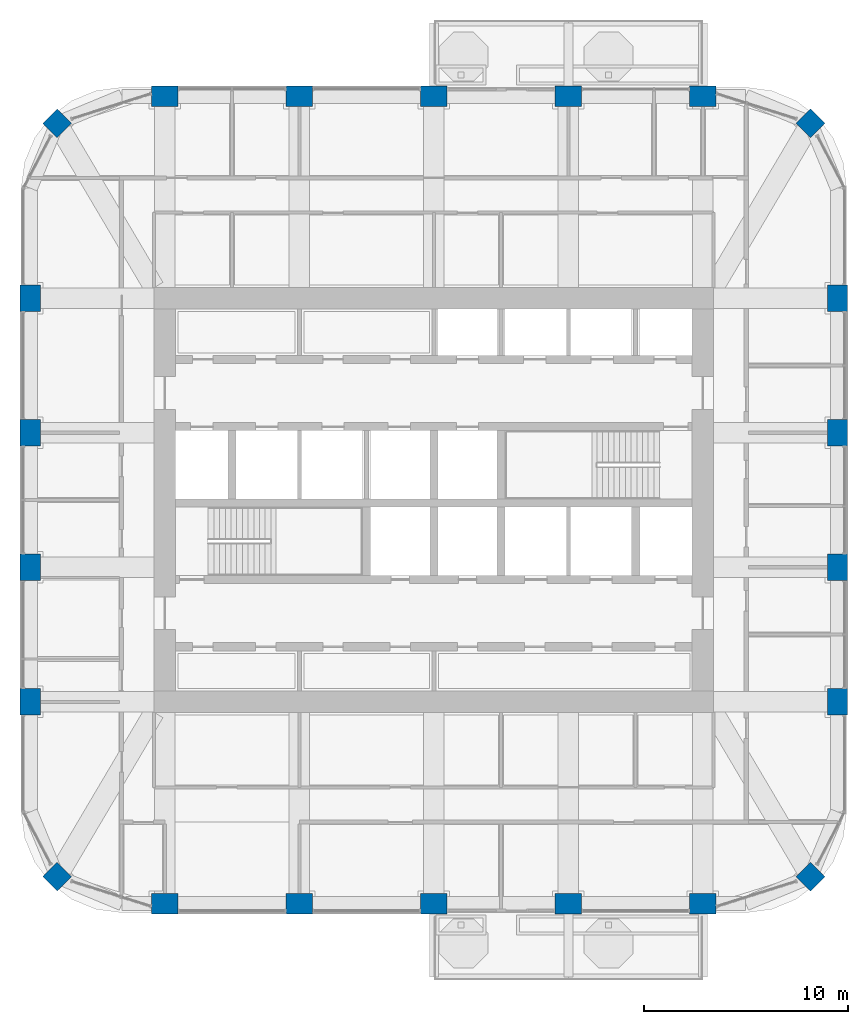
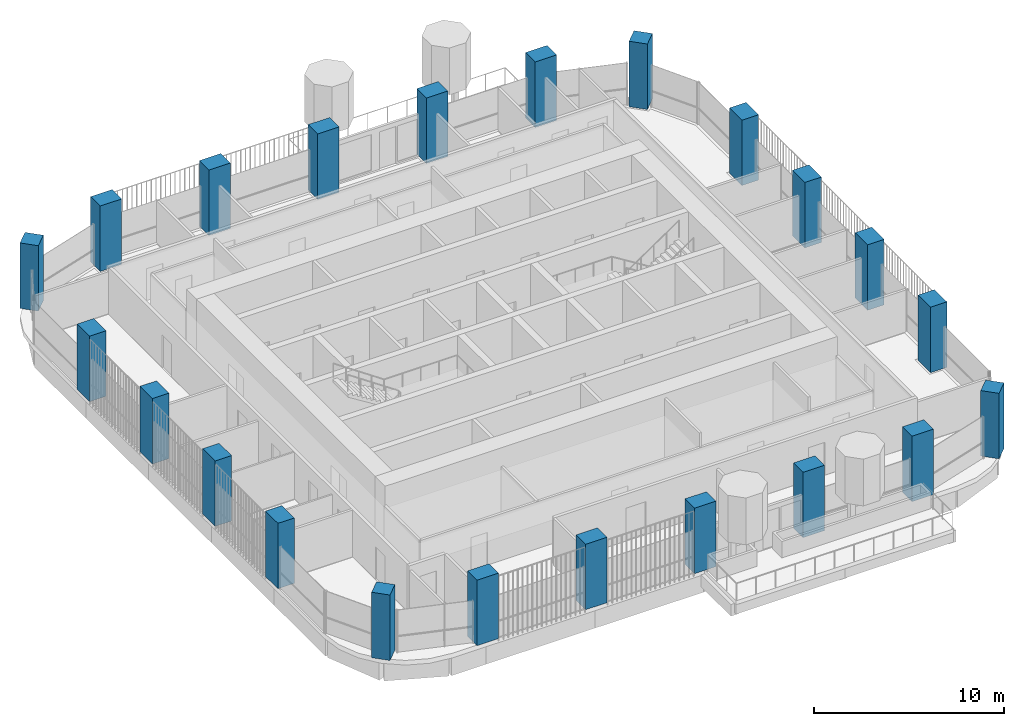
# One storey, part 1 of 21: 22 columns.
"""IFC4 building model written with IfcOpenShell, lengths in metres."""

from ifc_helpers import new_model, si_unit, direction, frame, origin, origin_2d, place, context, subcontext, project, spatial, rectangle, extrude, material, material_profile, profile_set, type_object, element, save


model = new_model("IFC4")

# Units and contexts
model_context = context("Model", 3, precision=1e-05, world=origin(), true_north=direction((0.0, 1.0)))
body_context = subcontext(model_context, "Body", "Model", "MODEL_VIEW")
ifc_project = project(units=[si_unit("LENGTHUNIT", "METRE"), si_unit("AREAUNIT", "SQUARE_METRE"), si_unit("VOLUMEUNIT", "CUBIC_METRE"), si_unit("PLANEANGLEUNIT", "RADIAN"), si_unit("MASSUNIT", "GRAM", prefix="KILO")], contexts=[model_context])

# Site, building, storey
site_placement = place(None, origin())
site = spatial("IfcSite", under=ifc_project, at=site_placement, CompositionType="ELEMENT")
building_placement = place(site_placement, origin())
building = spatial("IfcBuilding", under=site, at=building_placement, Name="Cobogo Forest Laboratory Tower", CompositionType="ELEMENT")
storey_placement = place(building_placement, frame((0.0, 0.0, 250.199951171875)))
storey = spatial("IfcBuildingStorey", under=building, at=storey_placement, Name="L57", CompositionType="ELEMENT", Elevation=250.199951171875)

# Columns
ifc_material = material(Name="Concrete HA-50 (C50/60)", Category="concrete")
ifc_material_profile_1 = material_profile(ifc_material, rectangle(XDim=1.300048828125, YDim=1.0, at=origin_2d()), Name="RC 1000x1300")
ifc_profile_set_1 = profile_set([ifc_material_profile_1], Name="Concrete HA-50 (C50/60)")
column_type_1 = type_object("IfcColumnType", Name="Blade column 1000x1300", PredefinedType="COLUMN", material=ifc_profile_set_1)
for number, where, z_axis, x_axis, name in (
    (1, (13.199951171875, 3.300048828125, 0.0), (0.0, 0.0, 1.0), (1.0, 0.0, 0.0), "Column 3-A.1 L57"),
    (2, (19.800048828125, 3.300048828125, 0.0), (0.0, 0.0, 1.0), (1.0, 0.0, 0.0), "Column 4-A.1 L57"),
    (3, (26.39990234375, 3.300048828125, 0.0), (0.0, 0.0, 1.0), (1.0, 0.0, 0.0), "Column 5-A.1 L57"),
    (4, (33.0, 3.300048828125, 0.0), (0.0, 0.0, 1.0), (1.0, 0.0, 0.0), "Column 6-A.1 L57"),
    (5, (39.60009765625, 3.300048828125, 0.0), (0.0, 0.0, 1.0), (1.0, 0.0, 0.0), "Column 7-A.1 L57"),
    (6, (6.60009765625, 13.199951171875, 0.0), (0.0, 0.0, 1.0), (0.0, 1.0, 0.0), "Column 2-C L57"),
    (7, (46.199951171875, 13.199951171875, 0.0), (0.0, 0.0, 1.0), (0.0, 1.0, 0.0), "Column 8-C L57"),
    (8, (6.60009765625, 19.800048828125, 0.0), (0.0, 0.0, 1.0), (0.0, 1.0, 0.0), "Column 2-D L57"),
    (9, (46.199951171875, 19.800048828125, 0.0), (0.0, 0.0, 1.0), (0.0, 1.0, 0.0), "Column 8-D L57"),
    (10, (6.60009765625, 26.39990234375, 0.0), (0.0, 0.0, 1.0), (0.0, 1.0, 0.0), "Column 2-E L57"),
    (11, (46.199951171875, 26.39990234375, 0.0), (0.0, 0.0, 1.0), (0.0, 1.0, 0.0), "Column 8-E L57"),
    (12, (6.60009765625, 33.0, 0.0), (0.0, 0.0, 1.0), (0.0, 1.0, 0.0), "Column 2-F L57"),
    (13, (46.199951171875, 33.0, 0.0), (0.0, 0.0, 1.0), (0.0, 1.0, 0.0), "Column 8-F L57"),
    (14, (13.199951171875, 42.89990234375, 0.0), (0.0, 0.0, 1.0), (1.0, 0.0, 0.0), "Column 3-G.1 L57"),
    (15, (19.800048828125, 42.89990234375, 0.0), (0.0, 0.0, 1.0), (1.0, 0.0, 0.0), "Column 4-G.1 L57"),
    (16, (26.39990234375, 42.89990234375, 0.0), (0.0, 0.0, 1.0), (1.0, 0.0, 0.0), "Column 5-G.1 L57"),
    (17, (33.0, 42.89990234375, 0.0), (0.0, 0.0, 1.0), (1.0, 0.0, 0.0), "Column 6-G.1 L57"),
    (18, (39.60009765625, 42.89990234375, 0.0), (0.0, 0.0, 1.0), (1.0, 0.0, 0.0), "Column 7-G.1 L57"),
):
    element("IfcColumn", number, at=place(storey_placement, frame(where, z_axis=z_axis, x_axis=x_axis)), inside=storey, type_object=column_type_1, Name=name, PredefinedType="COLUMN", context=body_context, shape_type="SweptSolid", body=[
        extrude(rectangle(XDim=1.300048828125, YDim=1.0, at=origin_2d()), origin(), (0.0, 0.0, 1.0), 4.199951171875),
    ])
ifc_material_profile_2 = material_profile(ifc_material, rectangle(XDim=1.0, YDim=1.0, at=origin_2d()), Name="RC 1000x1000")
ifc_profile_set_2 = profile_set([ifc_material_profile_2], Name="Concrete HA-50 (C50/60)")
column_type_2 = type_object("IfcColumnType", Name="Column 1000x1000", PredefinedType="COLUMN", material=ifc_profile_set_2)
for number, where, z_axis, x_axis, name in (
    (19, (7.91796875, 4.617919921875, 0.0), (0.0, 0.0, 1.0), (0.707106781187, 0.707106781187, 0.0), "Column CNR-SW L57"),
    (20, (44.882080078125, 4.617919921875, 0.0), (0.0, 0.0, 1.0), (0.707106781187, 0.707106781187, 0.0), "Column CNR-SE L57"),
    (21, (7.91796875, 41.58203125, 0.0), (0.0, 0.0, 1.0), (0.707106781187, 0.707106781187, 0.0), "Column CNR-NW L57"),
    (22, (44.882080078125, 41.58203125, 0.0), (0.0, 0.0, 1.0), (0.707106781187, 0.707106781187, 0.0), "Column CNR-NE L57"),
):
    element("IfcColumn", number, at=place(storey_placement, frame(where, z_axis=z_axis, x_axis=x_axis)), inside=storey, type_object=column_type_2, Name=name, PredefinedType="COLUMN", context=body_context, shape_type="SweptSolid", body=[
        extrude(rectangle(XDim=1.0, YDim=1.0, at=origin_2d()), origin(), (0.0, 0.0, 1.0), 4.199951171875),
    ])

save(model, "model.ifc")
